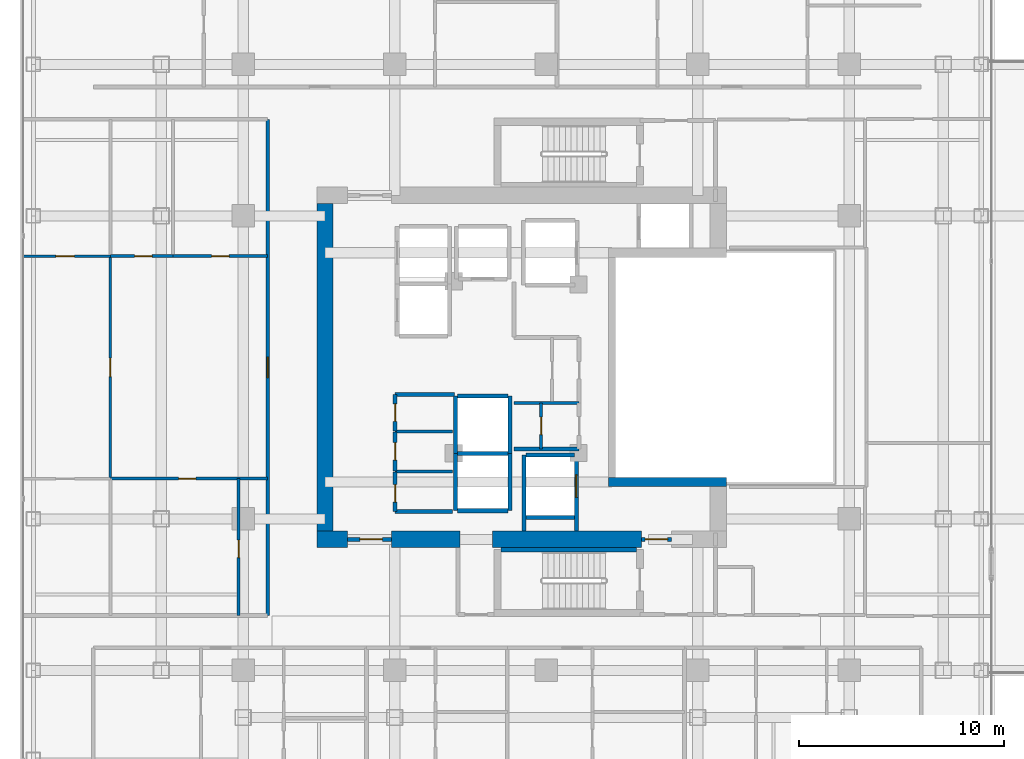
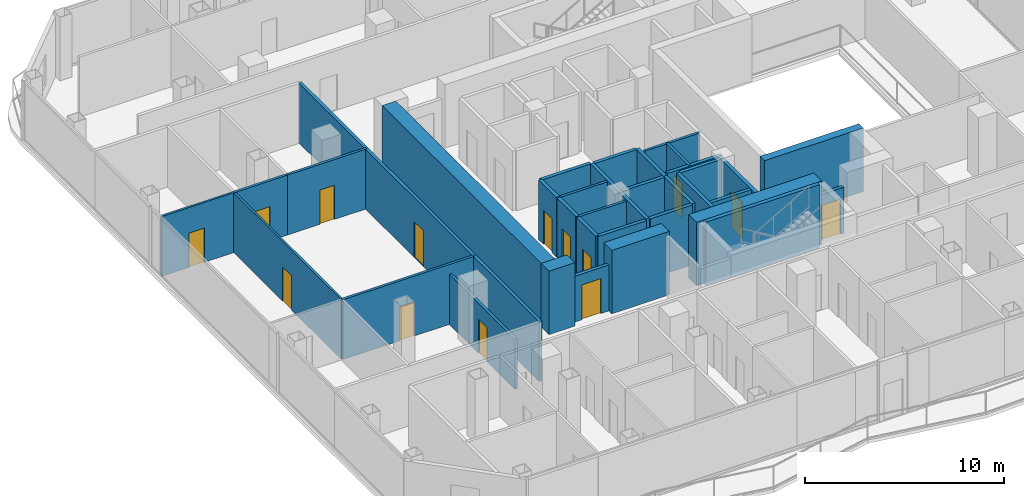
# One storey, part 20 of 27: 36 walls, 14 doors, 14 openings.
"""IFC4 building model written with IfcOpenShell, lengths in metres."""

from ifc_helpers import new_model, si_unit, direction, frame, frame_2d, origin, place, context, subcontext, project, spatial, rectangle, extrude, material, layer, layer_set, type_object, element, fill, save


model = new_model("IFC4")

# Units and contexts
model_context = context("Model", 3, precision=1e-05, world=origin(), true_north=direction((0.0, 1.0)))
body_context = subcontext(model_context, "Body", "Model", "MODEL_VIEW")
ifc_project = project(units=[si_unit("LENGTHUNIT", "METRE"), si_unit("AREAUNIT", "SQUARE_METRE"), si_unit("VOLUMEUNIT", "CUBIC_METRE"), si_unit("PLANEANGLEUNIT", "RADIAN"), si_unit("MASSUNIT", "GRAM", prefix="KILO")], contexts=[model_context])

# Site, building, storey
site_placement = place(None, origin())
site = spatial("IfcSite", under=ifc_project, at=site_placement, CompositionType="ELEMENT")
building_placement = place(site_placement, origin())
building = spatial("IfcBuilding", under=site, at=building_placement, Name="Khorvyn Point Tower", CompositionType="ELEMENT")
storey_placement = place(building_placement, frame((0.0, 0.0, 168.0)))
storey = spatial("IfcBuildingStorey", under=building, at=storey_placement, Name="L41", CompositionType="ELEMENT", Elevation=168.0)

# Wall, opening, door
ifc_material_1 = material(Name="Double acoustic gypsum on twin steel stud", Category="steel")
ifc_layer_1 = layer(ifc_material_1, 0.179931640625)
ifc_layer_set_1 = layer_set([ifc_layer_1], Name="Acoustic Double-Stud Apartment Demising Wall 180")
wall_type_1 = type_object("IfcWallType", Name="Acoustic Double-Stud Apartment Demising Wall 180", PredefinedType="PARTITIONING", material=ifc_layer_set_1)
wall_1_placement = place(storey_placement, frame((-13.60009765625, -12.1201171875, 0.0), z_axis=(0.0, 0.0, 1.0), x_axis=(0.0, 1.0, 0.0)))
wall_1 = element("IfcWall", 1, at=wall_1_placement, inside=storey, type_object=wall_type_1, Name="Wall", PredefinedType="PARTITIONING", context=body_context, shape_type="SweptSolid", body=[
    extrude(rectangle(XDim=24.240234375, YDim=0.179931640625, at=frame_2d((12.1201171875, 0.0))), origin(), (0.0, 0.0, 1.0), 3.679931640625),
])
opening_1_placement = place(wall_1_placement, frame((11.6201171875, 0.0, 0.0)))
opening_1 = element("IfcOpeningElement", 2, at=opening_1_placement, cuts=wall_1, Name="Opening ID-AP60", PredefinedType="OPENING", context=body_context, shape_type="SweptSolid", body=[
    extrude(rectangle(XDim=1.0, YDim=2.199951171875, at=frame_2d((0.5, 1.10009765625))), frame((0.0, 0.099853515625, 0.0), z_axis=(0.0, -1.0, 0.0), x_axis=(1.0, 0.0, 0.0)), (0.0, 0.0, 1.0), 0.199951171875),
])
ifc_material_2 = material(Name="Engineered hardwood fire-rated leaf", Category="wood")
door_type_1 = type_object("IfcDoorType", Name="Acoustic Solid-Core Timber Apartment Entrance Door 1000x2200", OperationType="NOTDEFINED", PredefinedType="DOOR", material=ifc_material_2)
door_1_placement = place(opening_1_placement, origin())
door_1 = element("IfcDoor", 3, at=door_1_placement, inside=storey, type_object=door_type_1, Name="Door", OperationType="SINGLE_SWING_RIGHT", OverallHeight=2.199951171875, OverallWidth=1.0, PredefinedType="DOOR", context=body_context, shape_type="SweptSolid", body=[
    extrude(rectangle(XDim=1.0, YDim=2.199951171875, at=frame_2d((0.5, 1.10009765625))), frame((0.0, 0.02490234375, 0.0), z_axis=(0.0, -1.0, 0.0), x_axis=(1.0, 0.0, 0.0)), (0.0, 0.0, 1.0), 0.050048828125),
])
fill(opening_1, door_1)

# Wall
ifc_material_3 = material(Name="Concrete C40/50", Category="concrete")
ifc_layer_2 = layer(ifc_material_3, 0.449951171875)
ifc_layer_set_2 = layer_set([ifc_layer_2], Name="Concrete C40/50 Core Shear Wall 450")
wall_type_2 = type_object("IfcWallType", Name="Concrete C40/50 Core Shear Wall 450", PredefinedType="SHEAR", material=ifc_layer_set_2)
wall_2_placement = place(storey_placement, frame((3.044921875, -5.60009765625, 0.0), z_axis=(0.0, 0.0, 1.0), x_axis=(1.0, 0.0, 0.0)))
element("IfcWall", 4, at=wall_2_placement, inside=storey, type_object=wall_type_2, Name="Wall", PredefinedType="SHEAR", context=body_context, shape_type="SweptSolid", body=[
    extrude(rectangle(XDim=5.755126953125, YDim=0.449951171875, at=frame_2d((2.87744140625, 0.0))), origin(), (0.0, 0.0, 1.0), 3.89990234375),
])

# Wall, opening, door
ifc_layer_3 = layer(ifc_material_3, 0.199951171875)
ifc_layer_set_3 = layer_set([ifc_layer_3], Name="Concrete C40/50 Fire-Lobby Compartment Wall 200")
wall_type_3 = type_object("IfcWallType", Name="Concrete C40/50 Fire-Lobby Compartment Wall 200", PredefinedType="SOLIDWALL", material=ifc_layer_set_3)
wall_3_placement = place(storey_placement, frame((4.64990234375, -8.39990234375, 0.0), z_axis=(0.0, 0.0, 1.0), x_axis=(1.0, 0.0, 0.0)))
wall_3 = element("IfcWall", 5, at=wall_3_placement, inside=storey, type_object=wall_type_3, Name="Wall", PredefinedType="SOLIDWALL", context=body_context, shape_type="SweptSolid", body=[
    extrude(rectangle(XDim=1.47021484375, YDim=0.199951171875, at=frame_2d((0.735107421875, 0.0))), origin(), (0.0, 0.0, 1.0), 2.820068359375),
])
opening_2_placement = place(wall_3_placement, frame((0.18505859375, 0.0, 0.0)))
opening_2 = element("IfcOpeningElement", 6, at=opening_2_placement, cuts=wall_3, Name="Opening ID-FL90", PredefinedType="OPENING", context=body_context, shape_type="SweptSolid", body=[
    extrude(rectangle(XDim=1.10009765625, YDim=2.14990234375, at=frame_2d((0.550048828125, 1.074951171875))), frame((0.0, 0.10986328125, 0.0), z_axis=(0.0, -1.0, 0.0), x_axis=(1.0, 0.0, 0.0)), (0.0, 0.0, 1.0), 0.219970703125),
])
ifc_material_4 = material(Name="Galvanised powder-coated steel", Category="steel")
door_type_2 = type_object("IfcDoorType", Name="Fire-Rated Steel Lobby and Stair Door 1100x2150", OperationType="NOTDEFINED", PredefinedType="DOOR", material=ifc_material_4)
door_2_placement = place(opening_2_placement, origin())
door_2 = element("IfcDoor", 7, at=door_2_placement, inside=storey, type_object=door_type_2, Name="Door", OperationType="SINGLE_SWING_RIGHT", OverallHeight=2.14990234375, OverallWidth=1.10009765625, PredefinedType="DOOR", context=body_context, shape_type="SweptSolid", body=[
    extrude(rectangle(XDim=1.10009765625, YDim=2.14990234375, at=frame_2d((0.550048828125, 1.074951171875))), frame((0.0, 0.02490234375, 0.0), z_axis=(0.0, -1.0, 0.0), x_axis=(1.0, 0.0, 0.0)), (0.0, 0.0, 1.0), 0.050048828125),
])
fill(opening_2, door_2)

wall_4_placement = place(storey_placement, frame((-9.699951171875, -8.39990234375, 0.0), z_axis=(0.0, 0.0, 1.0), x_axis=(1.0, 0.0, 0.0)))
wall_4 = element("IfcWall", 8, at=wall_4_placement, inside=storey, type_object=wall_type_3, Name="Wall", PredefinedType="SOLIDWALL", context=body_context, shape_type="SweptSolid", body=[
    extrude(rectangle(XDim=2.14990234375, YDim=0.199951171875, at=frame_2d((1.074951171875, 0.0))), origin(), (0.0, 0.0, 1.0), 2.820068359375),
])
opening_3_placement = place(wall_4_placement, frame((0.597900390625, 0.0, 0.0)))
opening_3 = element("IfcOpeningElement", 9, at=opening_3_placement, cuts=wall_4, Name="Opening ID-FL90", PredefinedType="OPENING", context=body_context, shape_type="SweptSolid", body=[
    extrude(rectangle(XDim=1.10009765625, YDim=2.14990234375, at=frame_2d((0.550048828125, 1.074951171875))), frame((0.0, 0.10986328125, 0.0), z_axis=(0.0, -1.0, 0.0), x_axis=(1.0, 0.0, 0.0)), (0.0, 0.0, 1.0), 0.219970703125),
])
door_3_placement = place(opening_3_placement, origin())
door_3 = element("IfcDoor", 10, at=door_3_placement, inside=storey, type_object=door_type_2, Name="Door", OperationType="SINGLE_SWING_RIGHT", OverallHeight=2.14990234375, OverallWidth=1.10009765625, PredefinedType="DOOR", context=body_context, shape_type="SweptSolid", body=[
    extrude(rectangle(XDim=1.10009765625, YDim=2.14990234375, at=frame_2d((0.550048828125, 1.074951171875))), frame((0.0, 0.02490234375, 0.0), z_axis=(0.0, -1.0, 0.0), x_axis=(1.0, 0.0, 0.0)), (0.0, 0.0, 1.0), 0.050048828125),
])
fill(opening_3, door_3)

wall_5_placement = place(storey_placement, frame((-7.3798828125, -7.0400390625, 0.0), z_axis=(0.0, 0.0, 1.0), x_axis=(0.0, 1.0, 0.0)))
wall_5 = element("IfcWall", 11, at=wall_5_placement, inside=storey, type_object=wall_type_3, Name="Wall", PredefinedType="SOLIDWALL", context=body_context, shape_type="SweptSolid", body=[
    extrude(rectangle(XDim=1.929931640625, YDim=0.199951171875, at=frame_2d((0.96484375, 0.0))), origin(), (0.0, 0.0, 1.0), 3.679931640625),
])
opening_4_placement = place(wall_5_placement, frame((0.464111328125, 0.0, 0.0)))
opening_4 = element("IfcOpeningElement", 12, at=opening_4_placement, cuts=wall_5, Name="Opening ID-WC85", PredefinedType="OPENING", context=body_context, shape_type="SweptSolid", body=[
    extrude(rectangle(XDim=0.85009765625, YDim=2.10009765625, at=frame_2d((0.425048828125, 1.050048828125))), frame((0.0, 0.10986328125, 0.0), z_axis=(0.0, -1.0, 0.0), x_axis=(1.0, 0.0, 0.0)), (0.0, 0.0, 1.0), 0.219970703125),
])
ifc_material_5 = material(Name="High-pressure laminate on moisture-resistant core", Category="wood")
door_type_3 = type_object("IfcDoorType", Name="Moisture-Resistant Accessible Washroom Door 850x2100", OperationType="NOTDEFINED", PredefinedType="DOOR", material=ifc_material_5)
door_4_placement = place(opening_4_placement, origin())
door_4 = element("IfcDoor", 13, at=door_4_placement, inside=storey, type_object=door_type_3, Name="Door", OperationType="SINGLE_SWING_LEFT", OverallHeight=2.10009765625, OverallWidth=0.85009765625, PredefinedType="DOOR", context=body_context, shape_type="SweptSolid", body=[
    extrude(rectangle(XDim=0.85009765625, YDim=2.10009765625, at=frame_2d((0.425048828125, 1.050048828125))), frame((0.0, 0.02490234375, 0.0), z_axis=(0.0, -1.0, 0.0), x_axis=(1.0, 0.0, 0.0)), (0.0, 0.0, 1.0), 0.050048828125),
])
fill(opening_4, door_4)

wall_6_placement = place(storey_placement, frame((-7.3798828125, -5.050048828125, 0.0), z_axis=(0.0, 0.0, 1.0), x_axis=(0.0, 1.0, 0.0)))
wall_6 = element("IfcWall", 14, at=wall_6_placement, inside=storey, type_object=wall_type_3, Name="Wall", PredefinedType="SOLIDWALL", context=body_context, shape_type="SweptSolid", body=[
    extrude(rectangle(XDim=1.89013671875, YDim=0.199951171875, at=frame_2d((0.945068359375, 0.0))), origin(), (0.0, 0.0, 1.0), 3.679931640625),
])
opening_5_placement = place(wall_6_placement, frame((0.52001953125, 0.0, 0.0)))
opening_5 = element("IfcOpeningElement", 15, at=opening_5_placement, cuts=wall_6, Name="Opening ID-WC85", PredefinedType="OPENING", context=body_context, shape_type="SweptSolid", body=[
    extrude(rectangle(XDim=0.85009765625, YDim=2.10009765625, at=frame_2d((0.425048828125, 1.050048828125))), frame((0.0, 0.10986328125, 0.0), z_axis=(0.0, -1.0, 0.0), x_axis=(1.0, 0.0, 0.0)), (0.0, 0.0, 1.0), 0.219970703125),
])
door_5_placement = place(opening_5_placement, origin())
door_5 = element("IfcDoor", 16, at=door_5_placement, inside=storey, type_object=door_type_3, Name="Door", OperationType="SINGLE_SWING_RIGHT", OverallHeight=2.10009765625, OverallWidth=0.85009765625, PredefinedType="DOOR", context=body_context, shape_type="SweptSolid", body=[
    extrude(rectangle(XDim=0.85009765625, YDim=2.10009765625, at=frame_2d((0.425048828125, 1.050048828125))), frame((0.0, 0.02490234375, 0.0), z_axis=(0.0, -1.0, 0.0), x_axis=(1.0, 0.0, 0.0)), (0.0, 0.0, 1.0), 0.050048828125),
])
fill(opening_5, door_5)

wall_7_placement = place(storey_placement, frame((-7.3798828125, -3.10009765625, 0.0), z_axis=(0.0, 0.0, 1.0), x_axis=(0.0, 1.0, 0.0)))
wall_7 = element("IfcWall", 17, at=wall_7_placement, inside=storey, type_object=wall_type_3, Name="Wall", PredefinedType="SOLIDWALL", context=body_context, shape_type="SweptSolid", body=[
    extrude(rectangle(XDim=1.780029296875, YDim=0.199951171875, at=frame_2d((0.89013671875, 0.0))), origin(), (0.0, 0.0, 1.0), 3.679931640625),
])
opening_6_placement = place(wall_7_placement, frame((0.465087890625, 0.0, 0.0)))
opening_6 = element("IfcOpeningElement", 18, at=opening_6_placement, cuts=wall_7, Name="Opening ID-WC85", PredefinedType="OPENING", context=body_context, shape_type="SweptSolid", body=[
    extrude(rectangle(XDim=0.85009765625, YDim=2.10009765625, at=frame_2d((0.425048828125, 1.050048828125))), frame((0.0, 0.10986328125, 0.0), z_axis=(0.0, -1.0, 0.0), x_axis=(1.0, 0.0, 0.0)), (0.0, 0.0, 1.0), 0.219970703125),
])
door_6_placement = place(opening_6_placement, origin())
door_6 = element("IfcDoor", 19, at=door_6_placement, inside=storey, type_object=door_type_3, Name="Door", OperationType="SINGLE_SWING_LEFT", OverallHeight=2.10009765625, OverallWidth=0.85009765625, PredefinedType="DOOR", context=body_context, shape_type="SweptSolid", body=[
    extrude(rectangle(XDim=0.85009765625, YDim=2.10009765625, at=frame_2d((0.425048828125, 1.050048828125))), frame((0.0, 0.02490234375, 0.0), z_axis=(0.0, -1.0, 0.0), x_axis=(1.0, 0.0, 0.0)), (0.0, 0.0, 1.0), 0.050048828125),
])
fill(opening_6, door_6)

# Walls
wall_8_placement = place(storey_placement, frame((-7.3798828125, -1.320068359375, 0.0), z_axis=(0.0, 0.0, 1.0), x_axis=(1.0, 0.0, 0.0)))
element("IfcWall", 20, at=wall_8_placement, inside=storey, type_object=wall_type_3, Name="Wall", PredefinedType="SOLIDWALL", context=body_context, shape_type="SweptSolid", body=[
    extrude(rectangle(XDim=2.909912109375, YDim=0.199951171875, at=frame_2d((1.455078125, 0.0))), origin(), (0.0, 0.0, 1.0), 3.679931640625),
])
wall_9_placement = place(storey_placement, frame((-1.580078125, -3.97998046875, 0.0), z_axis=(0.0, 0.0, 1.0), x_axis=(1.0, 0.0, 0.0)))
element("IfcWall", 21, at=wall_9_placement, inside=storey, type_object=wall_type_3, Name="Wall", PredefinedType="SOLIDWALL", context=body_context, shape_type="SweptSolid", body=[
    extrude(rectangle(XDim=3.190185546875, YDim=0.199951171875, at=frame_2d((1.59521484375, 0.0))), origin(), (0.0, 0.0, 1.0), 3.679931640625),
])
wall_10_placement = place(storey_placement, frame((-7.3798828125, -7.0400390625, 0.0), z_axis=(0.0, 0.0, 1.0), x_axis=(1.0, 0.0, 0.0)))
element("IfcWall", 22, at=wall_10_placement, inside=storey, type_object=wall_type_3, Name="Wall", PredefinedType="SOLIDWALL", context=body_context, shape_type="SweptSolid", body=[
    extrude(rectangle(XDim=2.7998046875, YDim=0.199951171875, at=frame_2d((1.39990234375, 0.0))), origin(), (0.0, 0.0, 1.0), 3.679931640625),
])
ifc_layer_4 = layer(ifc_material_3, 0.25)
ifc_layer_set_4 = layer_set([ifc_layer_4], Name="Concrete C40/50 Stair Inner Cheek Structural Wall 250")
wall_type_4 = type_object("IfcWallType", Name="Concrete C40/50 Stair Inner Cheek Structural Wall 250", PredefinedType="SHEAR", material=ifc_layer_set_4)
wall_11_placement = place(storey_placement, frame((-2.199951171875, -8.91259765625, 0.0), z_axis=(0.0, 0.0, 1.0), x_axis=(1.0, 0.0, 0.0)))
element("IfcWall", 23, at=wall_11_placement, inside=storey, type_object=wall_type_4, Name="Wall", PredefinedType="SHEAR", context=body_context, shape_type="SweptSolid", body=[
    extrude(rectangle(XDim=6.599853515625, YDim=0.22509765625, at=frame_2d((3.2998046875, 0.0))), origin(), (0.0, 0.0, 1.0), 3.89990234375),
])
ifc_layer_5 = layer(ifc_material_3, 0.199951171875)
ifc_layer_set_5 = layer_set([ifc_layer_5], Name="Concrete C40/50 Structural Hoistway and Stair Shaft Wall 200")
wall_type_5 = type_object("IfcWallType", Name="Concrete C40/50 Structural Hoistway and Stair Shaft Wall 200", PredefinedType="SHEAR", material=ifc_layer_set_5)
for number, where, z_axis, x_axis, name in (
    (24, (-4.425048828125, -7.0, 0.0), (0.0, 0.0, 1.0), (0.0, 1.0, 0.0), "Wall"),
    (25, (-1.77490234375, -7.0, 0.0), (0.0, 0.0, 1.0), (0.0, 1.0, 0.0), "Wall"),
):
    element("IfcWall", number, at=place(storey_placement, frame(where, z_axis=z_axis, x_axis=x_axis)), inside=storey, type_object=wall_type_5, Name=name, PredefinedType="SHEAR", context=body_context, shape_type="SweptSolid", body=[
        extrude(rectangle(XDim=2.800048828125, YDim=0.199951171875, at=frame_2d((1.39990234375, 0.0))), origin(), (0.0, 0.0, 1.0), 3.679931640625),
    ])
for number, where, z_axis, x_axis, name in (
    (26, (-4.324951171875, -7.0, 0.0), (0.0, 0.0, 1.0), (1.0, 0.0, 0.0), "Wall"),
    (27, (-4.324951171875, -4.199951171875, 0.0), (0.0, 0.0, 1.0), (1.0, 0.0, 0.0), "Wall"),
):
    element("IfcWall", number, at=place(storey_placement, frame(where, z_axis=z_axis, x_axis=x_axis)), inside=storey, type_object=wall_type_5, Name=name, PredefinedType="SHEAR", context=body_context, shape_type="SweptSolid", body=[
        extrude(rectangle(XDim=2.449951171875, YDim=0.199951171875, at=frame_2d((1.22509765625, 0.0))), origin(), (0.0, 0.0, 1.0), 3.679931640625),
    ])
for number, where, z_axis, x_axis, name in (
    (28, (-4.425048828125, -4.199951171875, 0.0), (0.0, 0.0, 1.0), (0.0, 1.0, 0.0), "Wall"),
    (29, (-1.77490234375, -4.199951171875, 0.0), (0.0, 0.0, 1.0), (0.0, 1.0, 0.0), "Wall"),
):
    element("IfcWall", number, at=place(storey_placement, frame(where, z_axis=z_axis, x_axis=x_axis)), inside=storey, type_object=wall_type_5, Name=name, PredefinedType="SHEAR", context=body_context, shape_type="SweptSolid", body=[
        extrude(rectangle(XDim=2.800048828125, YDim=0.199951171875, at=frame_2d((1.39990234375, 0.0))), origin(), (0.0, 0.0, 1.0), 3.679931640625),
    ])
wall_12_placement = place(storey_placement, frame((-4.324951171875, -1.39990234375, 0.0), z_axis=(0.0, 0.0, 1.0), x_axis=(1.0, 0.0, 0.0)))
element("IfcWall", 30, at=wall_12_placement, inside=storey, type_object=wall_type_5, Name="Wall", PredefinedType="SHEAR", context=body_context, shape_type="SweptSolid", body=[
    extrude(rectangle(XDim=2.449951171875, YDim=0.199951171875, at=frame_2d((1.22509765625, 0.0))), origin(), (0.0, 0.0, 1.0), 3.679931640625),
])
wall_13_placement = place(storey_placement, frame((-1.074951171875, -8.0, 0.0), z_axis=(0.0, 0.0, 1.0), x_axis=(0.0, 1.0, 0.0)))
element("IfcWall", 31, at=wall_13_placement, inside=storey, type_object=wall_type_5, Name="Wall", PredefinedType="SHEAR", context=body_context, shape_type="SweptSolid", body=[
    extrude(rectangle(XDim=3.72509765625, YDim=0.199951171875, at=frame_2d((1.862548828125, 0.0))), origin(), (0.0, 0.0, 1.0), 3.679931640625),
])

# Wall, opening, door
wall_14_placement = place(storey_placement, frame((1.47509765625, -8.0, 0.0), z_axis=(0.0, 0.0, 1.0), x_axis=(0.0, 1.0, 0.0)))
wall_14 = element("IfcWall", 32, at=wall_14_placement, inside=storey, type_object=wall_type_5, Name="Wall", PredefinedType="SHEAR", context=body_context, shape_type="SweptSolid", body=[
    extrude(rectangle(XDim=3.72509765625, YDim=0.199951171875, at=frame_2d((1.862548828125, 0.0))), origin(), (0.0, 0.0, 1.0), 3.679931640625),
])
opening_7_placement = place(wall_14_placement, frame((1.64990234375, 0.0, 0.0)))
opening_7 = element("IfcOpeningElement", 33, at=opening_7_placement, cuts=wall_14, Name="Opening LD-1122", PredefinedType="OPENING", context=body_context, shape_type="SweptSolid", body=[
    extrude(rectangle(XDim=1.10009765625, YDim=2.199951171875, at=frame_2d((0.550048828125, 1.10009765625))), frame((0.0, 0.10986328125, 0.0), z_axis=(0.0, -1.0, 0.0), x_axis=(1.0, 0.0, 0.0)), (0.0, 0.0, 1.0), 0.219970703125),
])
ifc_material_6 = material(Name="Stainless steel 1.4301", Category="steel")
door_type_4 = type_object("IfcDoorType", Name="Stainless Steel Automatic Sliding Lift Landing Door 1100x2200", OperationType="SLIDING_TO_LEFT", PredefinedType="DOOR", material=ifc_material_6)
door_7_placement = place(opening_7_placement, origin())
door_7 = element("IfcDoor", 34, at=door_7_placement, inside=storey, type_object=door_type_4, Name="L41 FF-01 Sliding Lift Landing Door", OperationType="SLIDING_TO_LEFT", OverallHeight=2.199951171875, OverallWidth=1.10009765625, PredefinedType="DOOR", context=body_context, shape_type="SweptSolid", body=[
    extrude(rectangle(XDim=1.10009765625, YDim=2.199951171875, at=frame_2d((0.550048828125, 1.10009765625))), frame((0.0, 0.02490234375, 0.0), z_axis=(0.0, -1.0, 0.0), x_axis=(1.0, 0.0, 0.0)), (0.0, 0.0, 1.0), 0.050048828125),
])
fill(opening_7, door_7)

# Walls
for number, where, z_axis, x_axis, name in (
    (35, (-0.97509765625, -7.324951171875, 0.0), (0.0, 0.0, 1.0), (1.0, 0.0, 0.0), "Wall"),
    (36, (-0.97509765625, -4.27490234375, 0.0), (0.0, 0.0, 1.0), (1.0, 0.0, 0.0), "Wall"),
):
    element("IfcWall", number, at=place(storey_placement, frame(where, z_axis=z_axis, x_axis=x_axis)), inside=storey, type_object=wall_type_5, Name=name, PredefinedType="SHEAR", context=body_context, shape_type="SweptSolid", body=[
        extrude(rectangle(XDim=2.35009765625, YDim=0.199951171875, at=frame_2d((1.175048828125, 0.0))), origin(), (0.0, 0.0, 1.0), 3.679931640625),
    ])
ifc_material_7 = material(Name="Concrete C45/55", Category="concrete")
ifc_layer_6 = layer(ifc_material_7, 0.800048828125)
ifc_layer_set_6 = layer_set([ifc_layer_6], Name="Concrete C45/55 Core Shear Wall 800")
wall_type_6 = type_object("IfcWallType", Name="Concrete C45/55 Core Shear Wall 800", PredefinedType="SHEAR", material=ifc_layer_set_6)
wall_15_placement = place(storey_placement, frame((-11.199951171875, -8.39990234375, 0.0), z_axis=(0.0, 0.0, 1.0), x_axis=(1.0, 0.0, 0.0)))
element("IfcWall", 37, at=wall_15_placement, inside=storey, type_object=wall_type_6, Name="Wall", PredefinedType="SHEAR", context=body_context, shape_type="SweptSolid", body=[
    extrude(rectangle(XDim=1.5, YDim=0.800048828125, at=frame_2d((0.75, 0.0))), origin(), (0.0, 0.0, 1.0), 3.89990234375),
])
wall_16_placement = place(storey_placement, frame((-7.550048828125, -8.39990234375, 0.0), z_axis=(0.0, 0.0, 1.0), x_axis=(1.0, 0.0, 0.0)))
element("IfcWall", 38, at=wall_16_placement, inside=storey, type_object=wall_type_6, Name="Wall", PredefinedType="SHEAR", context=body_context, shape_type="SweptSolid", body=[
    extrude(rectangle(XDim=3.35009765625, YDim=0.800048828125, at=frame_2d((1.675048828125, 0.0))), origin(), (0.0, 0.0, 1.0), 3.89990234375),
])
wall_17_placement = place(storey_placement, frame((-2.6201171875, -8.39990234375, 0.0), z_axis=(0.0, 0.0, 1.0), x_axis=(1.0, 0.0, 0.0)))
element("IfcWall", 39, at=wall_17_placement, inside=storey, type_object=wall_type_6, Name="Wall", PredefinedType="SHEAR", context=body_context, shape_type="SweptSolid", body=[
    extrude(rectangle(XDim=7.27001953125, YDim=0.800048828125, at=frame_2d((3.635009765625, 0.0))), origin(), (0.0, 0.0, 1.0), 3.89990234375),
])
wall_18_placement = place(storey_placement, frame((-10.800048828125, -8.0, 0.0), z_axis=(0.0, 0.0, 1.0), x_axis=(0.0, 1.0, 0.0)))
element("IfcWall", 40, at=wall_18_placement, inside=storey, type_object=wall_type_6, Name="Wall", PredefinedType="SHEAR", context=body_context, shape_type="SweptSolid", body=[
    extrude(rectangle(XDim=16.0, YDim=0.800048828125, at=frame_2d((8.0, 0.0))), origin(), (0.0, 0.0, 1.0), 3.89990234375),
])

# Wall, opening, door
ifc_material_8 = material(Name="Gypsum plasterboard on steel stud", Category="steel")
ifc_layer_7 = layer(ifc_material_8, 0.1201171875)
ifc_layer_set_7 = layer_set([ifc_layer_7], Name="Gypsum Acoustic Stud Room Partition Wall 120")
wall_type_7 = type_object("IfcWallType", Name="Gypsum Acoustic Stud Room Partition Wall 120", PredefinedType="PARTITIONING", material=ifc_layer_set_7)
wall_19_placement = place(storey_placement, frame((-21.2900390625, -5.43603515625, 0.0), z_axis=(0.0, 0.0, 1.0), x_axis=(0.0, 1.0, 0.0)))
wall_19 = element("IfcWall", 41, at=wall_19_placement, inside=storey, type_object=wall_type_7, Name="Wall", PredefinedType="PARTITIONING", context=body_context, shape_type="SweptSolid", body=[
    extrude(rectangle(XDim=10.8720703125, YDim=0.1201171875, at=frame_2d((5.43603515625, 0.0))), origin(), (0.0, 0.0, 1.0), 3.679931640625),
])
opening_8_placement = place(wall_19_placement, frame((4.986083984375, 0.0, 0.0)))
opening_8 = element("IfcOpeningElement", 42, at=opening_8_placement, cuts=wall_19, Name="Opening ID-RM90", PredefinedType="OPENING", context=body_context, shape_type="SweptSolid", body=[
    extrude(rectangle(XDim=0.89990234375, YDim=2.10009765625, at=frame_2d((0.449951171875, 1.050048828125))), frame((0.0, 0.070068359375, 0.0), z_axis=(0.0, -1.0, 0.0), x_axis=(1.0, 0.0, 0.0)), (0.0, 0.0, 1.0), 0.14013671875),
])
ifc_material_9 = material(Name="Engineered oak veneer timber", Category="wood")
door_type_5 = type_object("IfcDoorType", Name="Flush Engineered Timber Room Door 900x2100", OperationType="NOTDEFINED", PredefinedType="DOOR", material=ifc_material_9)
door_8_placement = place(opening_8_placement, origin())
door_8 = element("IfcDoor", 43, at=door_8_placement, inside=storey, type_object=door_type_5, Name="Door", OperationType="SINGLE_SWING_LEFT", OverallHeight=2.10009765625, OverallWidth=0.89990234375, PredefinedType="DOOR", context=body_context, shape_type="SweptSolid", body=[
    extrude(rectangle(XDim=0.89990234375, YDim=2.10009765625, at=frame_2d((0.449951171875, 1.050048828125))), frame((0.0, 0.02490234375, 0.0), z_axis=(0.0, -1.0, 0.0), x_axis=(1.0, 0.0, 0.0)), (0.0, 0.0, 1.0), 0.050048828125),
])
fill(opening_8, door_8)

wall_20_placement = place(storey_placement, frame((-25.530029296875, 5.43603515625, 0.0), z_axis=(0.0, 0.0, 1.0), x_axis=(1.0, 0.0, 0.0)))
wall_20 = element("IfcWall", 44, at=wall_20_placement, inside=storey, type_object=wall_type_7, Name="Wall", PredefinedType="PARTITIONING", context=body_context, shape_type="SweptSolid", body=[
    extrude(rectangle(XDim=4.239990234375, YDim=0.1201171875, at=frame_2d((2.1201171875, 0.0))), origin(), (0.0, 0.0, 1.0), 3.679931640625),
])
opening_9_placement = place(wall_20_placement, frame((1.581298828125, 0.0, 0.0)))
opening_9 = element("IfcOpeningElement", 45, at=opening_9_placement, cuts=wall_20, Name="Opening ID-RM90", PredefinedType="OPENING", context=body_context, shape_type="SweptSolid", body=[
    extrude(rectangle(XDim=0.89990234375, YDim=2.10009765625, at=frame_2d((0.449951171875, 1.050048828125))), frame((0.0, 0.070068359375, 0.0), z_axis=(0.0, -1.0, 0.0), x_axis=(1.0, 0.0, 0.0)), (0.0, 0.0, 1.0), 0.14013671875),
])
door_9_placement = place(opening_9_placement, origin())
door_9 = element("IfcDoor", 46, at=door_9_placement, inside=storey, type_object=door_type_5, Name="Door", OperationType="SINGLE_SWING_LEFT", OverallHeight=2.10009765625, OverallWidth=0.89990234375, PredefinedType="DOOR", context=body_context, shape_type="SweptSolid", body=[
    extrude(rectangle(XDim=0.89990234375, YDim=2.10009765625, at=frame_2d((0.449951171875, 1.050048828125))), frame((0.0, 0.02490234375, 0.0), z_axis=(0.0, -1.0, 0.0), x_axis=(1.0, 0.0, 0.0)), (0.0, 0.0, 1.0), 0.050048828125),
])
fill(opening_9, door_9)

ifc_material_10 = material(Name="Moisture-resistant gypsum and cement board", Category="gypsum")
ifc_layer_8 = layer(ifc_material_10, 0.14990234375)
ifc_layer_set_8 = layer_set([ifc_layer_8], Name="Moisture-Resistant Wet-Room Partition Wall 150")
wall_type_8 = type_object("IfcWallType", Name="Moisture-Resistant Wet-Room Partition Wall 150", PredefinedType="PARTITIONING", material=ifc_layer_set_8)
wall_21_placement = place(storey_placement, frame((-0.25, -3.97998046875, 0.0), z_axis=(0.0, 0.0, 1.0), x_axis=(0.0, 1.0, 0.0)))
wall_21 = element("IfcWall", 47, at=wall_21_placement, inside=storey, type_object=wall_type_8, Name="Wall", PredefinedType="PARTITIONING", context=body_context, shape_type="SweptSolid", body=[
    extrude(rectangle(XDim=2.240966796875, YDim=0.14990234375, at=frame_2d((1.12060546875, 0.0))), origin(), (0.0, 0.0, 1.0), 3.679931640625),
])
opening_10_placement = place(wall_21_placement, frame((0.695556640625, 0.0, 0.0)))
opening_10 = element("IfcOpeningElement", 48, at=opening_10_placement, cuts=wall_21, Name="Opening ID-WC85", PredefinedType="OPENING", context=body_context, shape_type="SweptSolid", body=[
    extrude(rectangle(XDim=0.85009765625, YDim=2.10009765625, at=frame_2d((0.425048828125, 1.050048828125))), frame((0.0, 0.0849609375, 0.0), z_axis=(0.0, -1.0, 0.0), x_axis=(1.0, 0.0, 0.0)), (0.0, 0.0, 1.0), 0.169921875),
])
door_10_placement = place(opening_10_placement, origin())
door_10 = element("IfcDoor", 49, at=door_10_placement, inside=storey, type_object=door_type_3, Name="Door", OperationType="SINGLE_SWING_LEFT", OverallHeight=2.10009765625, OverallWidth=0.85009765625, PredefinedType="DOOR", context=body_context, shape_type="SweptSolid", body=[
    extrude(rectangle(XDim=0.85009765625, YDim=2.10009765625, at=frame_2d((0.425048828125, 1.050048828125))), frame((0.0, 0.02490234375, 0.0), z_axis=(0.0, -1.0, 0.0), x_axis=(1.0, 0.0, 0.0)), (0.0, 0.0, 1.0), 0.050048828125),
])
fill(opening_10, door_10)

wall_22_placement = place(storey_placement, frame((-15.02001953125, -12.1201171875, 0.0), z_axis=(0.0, 0.0, 1.0), x_axis=(0.0, 1.0, 0.0)))
wall_22 = element("IfcWall", 50, at=wall_22_placement, inside=storey, type_object=wall_type_8, Name="Wall", PredefinedType="PARTITIONING", context=body_context, shape_type="SweptSolid", body=[
    extrude(rectangle(XDim=6.68408203125, YDim=0.14990234375, at=frame_2d((3.342041015625, 0.0))), origin(), (0.0, 0.0, 1.0), 3.08203125),
])
opening_11_placement = place(wall_22_placement, frame((2.828125, 0.0, 0.0)))
opening_11 = element("IfcOpeningElement", 51, at=opening_11_placement, cuts=wall_22, Name="Opening ID-WC85", PredefinedType="OPENING", context=body_context, shape_type="SweptSolid", body=[
    extrude(rectangle(XDim=0.85009765625, YDim=2.10009765625, at=frame_2d((0.425048828125, 1.050048828125))), frame((0.0, 0.0849609375, 0.0), z_axis=(0.0, -1.0, 0.0), x_axis=(1.0, 0.0, 0.0)), (0.0, 0.0, 1.0), 0.169921875),
])
door_11_placement = place(opening_11_placement, origin())
door_11 = element("IfcDoor", 52, at=door_11_placement, inside=storey, type_object=door_type_3, Name="Door", OperationType="SINGLE_SWING_RIGHT", OverallHeight=2.10009765625, OverallWidth=0.85009765625, PredefinedType="DOOR", context=body_context, shape_type="SweptSolid", body=[
    extrude(rectangle(XDim=0.85009765625, YDim=2.10009765625, at=frame_2d((0.425048828125, 1.050048828125))), frame((0.0, 0.02490234375, 0.0), z_axis=(0.0, -1.0, 0.0), x_axis=(1.0, 0.0, 0.0)), (0.0, 0.0, 1.0), 0.050048828125),
])
fill(opening_11, door_11)

wall_23_placement = place(storey_placement, frame((-21.2900390625, 5.43603515625, 0.0), z_axis=(0.0, 0.0, 1.0), x_axis=(1.0, 0.0, 0.0)))
wall_23 = element("IfcWall", 53, at=wall_23_placement, inside=storey, type_object=wall_type_8, Name="Wall", PredefinedType="PARTITIONING", context=body_context, shape_type="SweptSolid", body=[
    extrude(rectangle(XDim=3.067138671875, YDim=0.14990234375, at=frame_2d((1.53369140625, 0.0))), origin(), (0.0, 0.0, 1.0), 3.679931640625),
])
opening_12_placement = place(wall_23_placement, frame((1.194580078125, 0.0, 0.0)))
opening_12 = element("IfcOpeningElement", 54, at=opening_12_placement, cuts=wall_23, Name="Opening ID-WC85", PredefinedType="OPENING", context=body_context, shape_type="SweptSolid", body=[
    extrude(rectangle(XDim=0.85009765625, YDim=2.10009765625, at=frame_2d((0.425048828125, 1.050048828125))), frame((0.0, 0.0849609375, 0.0), z_axis=(0.0, -1.0, 0.0), x_axis=(1.0, 0.0, 0.0)), (0.0, 0.0, 1.0), 0.169921875),
])
door_12_placement = place(opening_12_placement, origin())
door_12 = element("IfcDoor", 55, at=door_12_placement, inside=storey, type_object=door_type_3, Name="Door", OperationType="SINGLE_SWING_LEFT", OverallHeight=2.10009765625, OverallWidth=0.85009765625, PredefinedType="DOOR", context=body_context, shape_type="SweptSolid", body=[
    extrude(rectangle(XDim=0.85009765625, YDim=2.10009765625, at=frame_2d((0.425048828125, 1.050048828125))), frame((0.0, 0.02490234375, 0.0), z_axis=(0.0, -1.0, 0.0), x_axis=(1.0, 0.0, 0.0)), (0.0, 0.0, 1.0), 0.050048828125),
])
fill(opening_12, door_12)

wall_24_placement = place(storey_placement, frame((-18.222900390625, 5.43603515625, 0.0), z_axis=(0.0, 0.0, 1.0), x_axis=(1.0, 0.0, 0.0)))
wall_24 = element("IfcWall", 56, at=wall_24_placement, inside=storey, type_object=wall_type_8, Name="Wall", PredefinedType="PARTITIONING", context=body_context, shape_type="SweptSolid", body=[
    extrude(rectangle(XDim=4.622802734375, YDim=0.14990234375, at=frame_2d((2.3115234375, 0.0))), origin(), (0.0, 0.0, 1.0), 3.679931640625),
])
opening_13_placement = place(wall_24_placement, frame((1.886474609375, 0.0, 0.0)))
opening_13 = element("IfcOpeningElement", 57, at=opening_13_placement, cuts=wall_24, Name="Opening ID-WC85", PredefinedType="OPENING", context=body_context, shape_type="SweptSolid", body=[
    extrude(rectangle(XDim=0.85009765625, YDim=2.10009765625, at=frame_2d((0.425048828125, 1.050048828125))), frame((0.0, 0.0849609375, 0.0), z_axis=(0.0, -1.0, 0.0), x_axis=(1.0, 0.0, 0.0)), (0.0, 0.0, 1.0), 0.169921875),
])
door_13_placement = place(opening_13_placement, origin())
door_13 = element("IfcDoor", 58, at=door_13_placement, inside=storey, type_object=door_type_3, Name="Door", OperationType="SINGLE_SWING_RIGHT", OverallHeight=2.10009765625, OverallWidth=0.85009765625, PredefinedType="DOOR", context=body_context, shape_type="SweptSolid", body=[
    extrude(rectangle(XDim=0.85009765625, YDim=2.10009765625, at=frame_2d((0.425048828125, 1.050048828125))), frame((0.0, 0.02490234375, 0.0), z_axis=(0.0, -1.0, 0.0), x_axis=(1.0, 0.0, 0.0)), (0.0, 0.0, 1.0), 0.050048828125),
])
fill(opening_13, door_13)

wall_25_placement = place(storey_placement, frame((-21.2900390625, -5.43603515625, 0.0), z_axis=(0.0, 0.0, 1.0), x_axis=(1.0, 0.0, 0.0)))
wall_25 = element("IfcWall", 59, at=wall_25_placement, inside=storey, type_object=wall_type_8, Name="Wall", PredefinedType="PARTITIONING", context=body_context, shape_type="SweptSolid", body=[
    extrude(rectangle(XDim=7.68994140625, YDim=0.14990234375, at=frame_2d((3.844970703125, 0.0))), origin(), (0.0, 0.0, 1.0), 3.679931640625),
])
opening_14_placement = place(wall_25_placement, frame((3.331787109375, 0.0, 0.0)))
opening_14 = element("IfcOpeningElement", 60, at=opening_14_placement, cuts=wall_25, Name="Opening ID-WC85", PredefinedType="OPENING", context=body_context, shape_type="SweptSolid", body=[
    extrude(rectangle(XDim=0.85009765625, YDim=2.10009765625, at=frame_2d((0.425048828125, 1.050048828125))), frame((0.0, 0.0849609375, 0.0), z_axis=(0.0, -1.0, 0.0), x_axis=(1.0, 0.0, 0.0)), (0.0, 0.0, 1.0), 0.169921875),
])
door_14_placement = place(opening_14_placement, origin())
door_14 = element("IfcDoor", 61, at=door_14_placement, inside=storey, type_object=door_type_3, Name="Door", OperationType="SINGLE_SWING_LEFT", OverallHeight=2.10009765625, OverallWidth=0.85009765625, PredefinedType="DOOR", context=body_context, shape_type="SweptSolid", body=[
    extrude(rectangle(XDim=0.85009765625, YDim=2.10009765625, at=frame_2d((0.425048828125, 1.050048828125))), frame((0.0, 0.02490234375, 0.0), z_axis=(0.0, -1.0, 0.0), x_axis=(1.0, 0.0, 0.0)), (0.0, 0.0, 1.0), 0.050048828125),
])
fill(opening_14, door_14)

# Walls
wall_26_placement = place(storey_placement, frame((-1.580078125, -1.739013671875, 0.0), z_axis=(0.0, 0.0, 1.0), x_axis=(1.0, 0.0, 0.0)))
element("IfcWall", 62, at=wall_26_placement, inside=storey, type_object=wall_type_8, Name="Wall", PredefinedType="PARTITIONING", context=body_context, shape_type="SweptSolid", body=[
    extrude(rectangle(XDim=3.190185546875, YDim=0.14990234375, at=frame_2d((1.59521484375, 0.0))), origin(), (0.0, 0.0, 1.0), 3.679931640625),
])
for number, where, z_axis, x_axis, name in (
    (63, (-7.3798828125, -5.080078125, 0.0), (0.0, 0.0, 1.0), (1.0, 0.0, 0.0), "Wall"),
    (64, (-7.3798828125, -3.1298828125, 0.0), (0.0, 0.0, 1.0), (1.0, 0.0, 0.0), "Wall"),
):
    element("IfcWall", number, at=place(storey_placement, frame(where, z_axis=z_axis, x_axis=x_axis)), inside=storey, type_object=wall_type_8, Name=name, PredefinedType="PARTITIONING", context=body_context, shape_type="SweptSolid", body=[
        extrude(rectangle(XDim=2.7998046875, YDim=0.14990234375, at=frame_2d((1.39990234375, 0.0))), origin(), (0.0, 0.0, 1.0), 3.679931640625),
    ])

save(model, "model.ifc")
